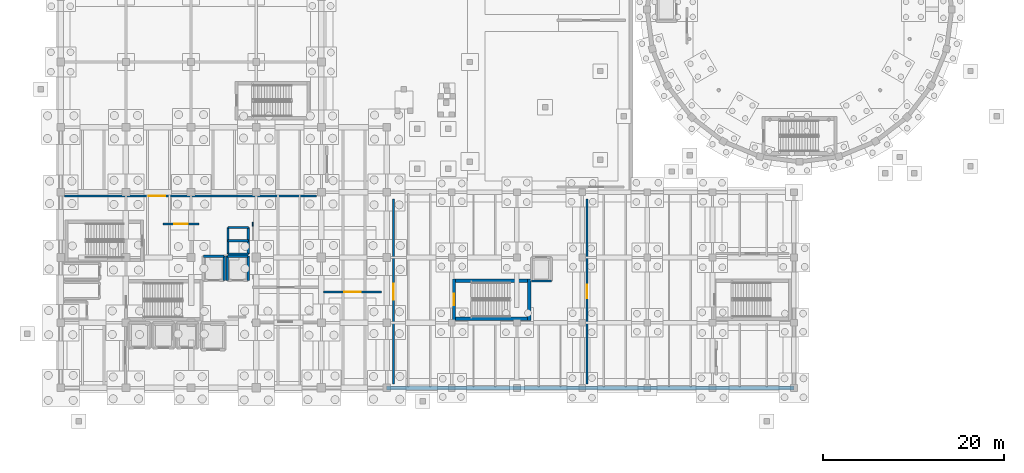
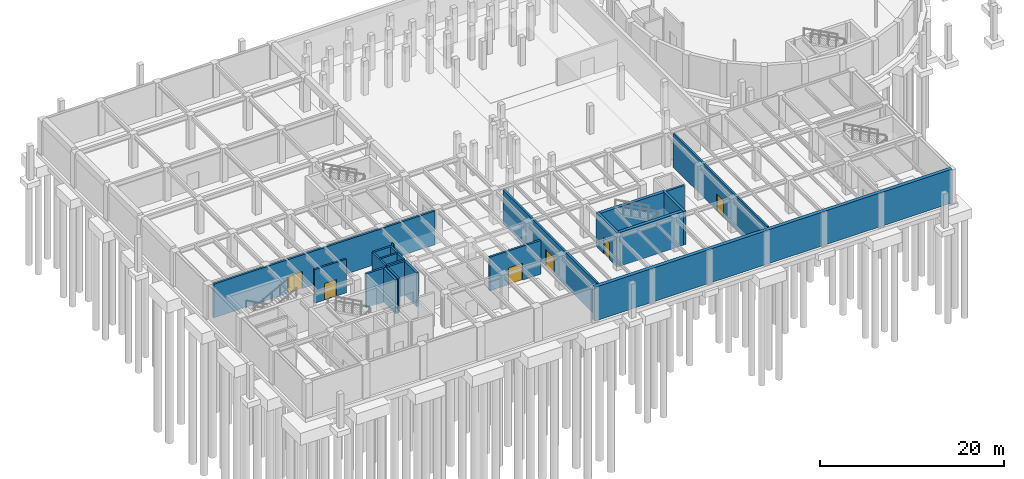
# One storey, part 14 of 26: 22 walls, 6 doors, 6 openings.
"""IFC4 building model written with IfcOpenShell, lengths in metres."""

import ifcopenshell
import ifcopenshell.guid

model = None  # the IFC model being written
_history = None  # IfcOwnerHistory: only IFC2X3 demands one
_inside = {}  # id of a spatial element -> (the spatial element, [elements in it])
_under = {}  # id of a project, library or spatial element -> (it, [spatial elements below it])
_declared = {}  # id of a project -> (the project, [libraries it declares])
_typed = {}  # id of a type object -> (the type object, [elements of that type])
_made_of = {}  # id of a material, layer set ... -> (it, [elements and type objects made of it])


def new_model(schema):
    """Start an empty IFC model of exactly this schema.

    Asked for "IFC4X3", IfcOpenShell would pick the latest addendum, in which some entities
    have other attributes; the version numbers below select the first issue.
    IFC2X3 requires an IfcOwnerHistory on every rooted entity: one is made here for all.
    """
    global model, _history
    if schema == "IFC4X3":
        model = ifcopenshell.file(schema_version=(4, 3, 0, 0))
    else:
        model = ifcopenshell.file(schema=schema)
    _inside.clear()
    _under.clear()
    _declared.clear()
    _typed.clear()
    _made_of.clear()
    _history = None
    if model.schema == "IFC2X3":
        org = make("IfcOrganization", Name="unknown")
        user = make(
            "IfcPersonAndOrganization",
            ThePerson=make("IfcPerson", FamilyName="unknown"),
            TheOrganization=org,
        )
        app = make(
            "IfcApplication",
            ApplicationDeveloper=org,
            Version="unknown",
            ApplicationFullName="unknown",
            ApplicationIdentifier="unknown",
        )
        _history = make(
            "IfcOwnerHistory",
            OwningUser=user,
            OwningApplication=app,
            ChangeAction="ADDED",
            CreationDate=0,
        )
    return model


def make(cls, **values):
    """One entity of the class cls with the attributes given. An attribute that is None is left unset."""
    return model.create_entity(
        cls, **{name: value for name, value in values.items() if value is not None}
    )


def rooted(cls, **values):
    """An entity with a GlobalId (a new one), such as an element, a storey or a relation."""
    return make(cls, GlobalId=ifcopenshell.guid.new(), OwnerHistory=_history, **values)


def si_unit(unit_type, name, prefix=None):
    """IfcSIUnit, for example si_unit("LENGTHUNIT", "METRE", prefix="MILLI")."""
    return make("IfcSIUnit", UnitType=unit_type, Prefix=prefix, Name=name)


def assignment(units):
    """IfcUnitAssignment: the units of a project."""
    return None if units is None else make("IfcUnitAssignment", Units=units)


def point(xyz):
    """IfcCartesianPoint."""
    return None if xyz is None else make("IfcCartesianPoint", Coordinates=xyz)


def direction(xyz):
    """IfcDirection."""
    return None if xyz is None else make("IfcDirection", DirectionRatios=xyz)


def frame(location, z_axis=None, x_axis=None):
    """IfcAxis2Placement3D, a coordinate frame: its origin and axes. An axis left out is left unset."""
    return make(
        "IfcAxis2Placement3D",
        Location=point(location),
        Axis=direction(z_axis),
        RefDirection=direction(x_axis),
    )


def frame_2d(location, x_axis=None):
    """IfcAxis2Placement2D, a coordinate frame in the plane: its origin and x axis."""
    return make(
        "IfcAxis2Placement2D", Location=point(location), RefDirection=direction(x_axis)
    )


def origin():
    """The frame at (0, 0, 0) with its axes left unset."""
    return frame((0.0, 0.0, 0.0))


def place(relative_to, where):
    """IfcLocalPlacement: puts the frame where relative to a parent placement (None: the world)."""
    return make(
        "IfcLocalPlacement", PlacementRelTo=relative_to, RelativePlacement=where
    )


def context(
    kind, dimensions, precision=None, world=None, true_north=None, identifier=None
):
    """IfcGeometricRepresentationContext, for example the 3D "Model" context."""
    return make(
        "IfcGeometricRepresentationContext",
        ContextIdentifier=identifier,
        ContextType=kind,
        CoordinateSpaceDimension=dimensions,
        Precision=precision,
        WorldCoordinateSystem=world,
        TrueNorth=true_north,
    )


def subcontext(parent, identifier, kind, view, scale=None):
    """IfcGeometricRepresentationSubContext, for example "Body" below "Model"."""
    return make(
        "IfcGeometricRepresentationSubContext",
        ContextIdentifier=identifier,
        ContextType=kind,
        ParentContext=parent,
        TargetScale=scale,
        TargetView=view,
    )


def project(units=None, contexts=None):
    """IfcProject with its units and contexts."""
    return rooted(
        "IfcProject",
        Name="project",
        RepresentationContexts=contexts,
        UnitsInContext=assignment(units),
    )


def spatial(cls, under=None, at=None, **own):
    """A site, building, storey or space (cls), placed at a placement, below another one or the project."""
    s = rooted(cls, ObjectPlacement=at, **own)
    if under is not None:
        _under.setdefault(under.id(), (under, []))[1].append(s)
    return s


def profile(cls, at=None, kind="AREA", **sizes):
    """A parametric profile (cls). Its sizes go by their IFC names, for example OverallWidth=200.0."""
    return make(cls, ProfileType=kind, Position=at, **sizes)


def rectangle(**sizes):
    """IfcRectangleProfileDef."""
    return profile("IfcRectangleProfileDef", **sizes)


def extrude(swept, where, along, depth):
    """IfcExtrudedAreaSolid: the profile swept, set in the frame where, extruded along a direction by depth."""
    return make(
        "IfcExtrudedAreaSolid",
        SweptArea=swept,
        Position=where,
        ExtrudedDirection=direction(along),
        Depth=depth,
    )


def shape(context_of_items, identifier, shape_type, items):
    """IfcShapeRepresentation: the items that make up one representation, for example the "Body"."""
    return make(
        "IfcShapeRepresentation",
        ContextOfItems=context_of_items,
        RepresentationIdentifier=identifier,
        RepresentationType=shape_type,
        Items=items,
    )


def material(Name=None, Category=None):
    """IfcMaterial."""
    return make("IfcMaterial", Name=Name, Category=Category)


def layer(
    of_material, thickness, ventilated=None, Name=None, Category=None, Priority=None
):
    """IfcMaterialLayer: one layer of a wall or slab, of a material (None: an air gap)."""
    return make(
        "IfcMaterialLayer",
        Material=of_material,
        LayerThickness=thickness,
        IsVentilated=ventilated,
        Name=Name,
        Category=Category,
        Priority=Priority,
    )


def layer_set(layers, Name=None):
    """IfcMaterialLayerSet."""
    return make("IfcMaterialLayerSet", MaterialLayers=layers, LayerSetName=Name)


def made_of(thing, what):
    """Note that an element or type object is made of a material, layer set ...; save() writes the relation."""
    if what is not None:
        _made_of.setdefault(what.id(), (what, []))[1].append(thing)
    return thing


def type_object(cls, material=None, **own):
    """A type object (cls), such as IfcWallType, which elements share."""
    return made_of(rooted(cls, **own), material)


def element(
    cls,
    number,
    at=None,
    inside=None,
    cuts=None,
    type_object=None,
    material=None,
    context=None,
    identifier="Body",
    shape_type=None,
    held_by="IfcProductDefinitionShape",
    body=None,
    shapes=None,
    **own,
):
    """One element of the class cls, such as IfcWall. Its Tag is "e" and its number.

    at: its placement. inside: the storey or other place that contains it. cuts: it is an
    opening in that element (IfcRelVoidsElement). A single representation is given by context,
    identifier, shape_type and body (its items); several are given by shapes. held_by: the class
    of the entity that holds the representations. save() writes the other relations.
    """
    e = rooted(cls, Tag="e%d" % number, ObjectPlacement=at, **own)
    if body is not None:
        shapes = [shape(context, identifier, shape_type, body)]
    if shapes is not None:
        e.Representation = make(held_by, Representations=shapes)
    if inside is not None:
        _inside.setdefault(inside.id(), (inside, []))[1].append(e)
    if cuts is not None:
        rooted(
            "IfcRelVoidsElement", RelatingBuildingElement=cuts, RelatedOpeningElement=e
        )
    if type_object is not None:
        _typed.setdefault(type_object.id(), (type_object, []))[1].append(e)
    return made_of(e, material)


def fill(opening, filler):
    """IfcRelFillsElement: the door or window that sits in an opening."""
    return rooted(
        "IfcRelFillsElement",
        RelatingOpeningElement=opening,
        RelatedBuildingElement=filler,
    )


def aggregate(whole, parts):
    """IfcRelAggregates: a whole, such as a stair, and the parts it consists of."""
    return rooted("IfcRelAggregates", RelatingObject=whole, RelatedObjects=parts)


def save(model, path):
    """Write the relations noted so far, then the file.

    IfcRelAggregates (storeys below a building ...), IfcRelContainedInSpatialStructure (elements
    in a storey), IfcRelDefinesByType, IfcRelAssociatesMaterial and IfcRelDeclares: one each for
    every whole, place, type object, material and project.
    """
    for whole, parts in _under.values():
        aggregate(whole, parts)
    for where, things in _inside.values():
        rooted(
            "IfcRelContainedInSpatialStructure",
            RelatedElements=things,
            RelatingStructure=where,
        )
    for kind, things in _typed.values():
        rooted("IfcRelDefinesByType", RelatedObjects=things, RelatingType=kind)
    for what, things in _made_of.values():
        rooted("IfcRelAssociatesMaterial", RelatedObjects=things, RelatingMaterial=what)
    for by, libraries in _declared.values():
        rooted("IfcRelDeclares", RelatingContext=by, RelatedDefinitions=libraries)
    model.write(path)


model = new_model("IFC4")

# Units and contexts
model_context = context("Model", 3, precision=1e-05, world=origin(), true_north=direction((0.0, 1.0)))
body_context = subcontext(model_context, "Body", "Model", "MODEL_VIEW")
ifc_project = project(units=[si_unit("LENGTHUNIT", "METRE"), si_unit("AREAUNIT", "SQUARE_METRE"), si_unit("VOLUMEUNIT", "CUBIC_METRE"), si_unit("PLANEANGLEUNIT", "RADIAN"), si_unit("MASSUNIT", "GRAM", prefix="KILO")], contexts=[model_context])

# Site, building, storey
site_placement = place(None, origin())
site = spatial("IfcSite", under=ifc_project, at=site_placement, CompositionType="ELEMENT")
building_placement = place(site_placement, origin())
building = spatial("IfcBuilding", under=site, at=building_placement, Name="Kandorven Conservatory and Botanical Research Centre", CompositionType="ELEMENT")
storey_placement = place(building_placement, frame((0.0, 0.0, -4.800048828125)))
storey = spatial("IfcBuildingStorey", under=building, at=storey_placement, Name="B01", CompositionType="ELEMENT", Elevation=-4.800048828125)

# Walls
ifc_material_1 = material(Name="Concrete C40/50 (M50)", Category="concrete")
ifc_layer_1 = layer(ifc_material_1, 0.39990234375)
ifc_layer_set_1 = layer_set([ifc_layer_1], Name="Concrete C40/50 (M50)")
wall_type_1 = type_object("IfcWallType", Name="Wall_CW-RC-1", PredefinedType="SHEAR", material=ifc_layer_set_1)
for number, where, z_axis, x_axis, name in (
    (1, (49.60009765625, 13.64501953125, 0.0), (0.0, 0.0, 1.0), (1.0, 0.0, 0.0), "Core stair shear wall CW-RC-1 ST-V3A B01 side A"),
    (2, (49.60009765625, 17.844970703125, 0.0), (0.0, 0.0, 1.0), (1.0, 0.0, 0.0), "Core stair shear wall CW-RC-1 ST-V3A B01 side B"),
):
    element("IfcWall", number, at=place(storey_placement, frame(where, z_axis=z_axis, x_axis=x_axis)), inside=storey, type_object=wall_type_1, Name=name, PredefinedType="SHEAR", context=body_context, shape_type="SweptSolid", body=[
        extrude(rectangle(XDim=7.97998046875, YDim=0.39990234375, at=frame_2d((3.989990234375, 0.0))), origin(), (0.0, 0.0, 1.0), 4.5),
    ])

# Wall, opening, door
ifc_material_2 = material(Name="Concrete C40/50 (M50)", Category="concrete")
ifc_layer_2 = layer(ifc_material_2, 0.35009765625)
ifc_layer_set_2 = layer_set([ifc_layer_2], Name="Concrete C40/50 (M50)")
wall_type_2 = type_object("IfcWallType", Name="Wall_CW-RC-2", PredefinedType="SHEAR", material=ifc_layer_set_2)
wall_1_placement = place(storey_placement, frame((49.425048828125, 13.449951171875, 0.0), z_axis=(0.0, 0.0, 1.0), x_axis=(0.0, 1.0, 0.0)))
wall_1 = element("IfcWall", 3, at=wall_1_placement, inside=storey, type_object=wall_type_2, Name="Core stair shear wall CW-RC-2 ST-V3A B01 entry", PredefinedType="SHEAR", context=body_context, shape_type="SweptSolid", body=[
    extrude(rectangle(XDim=4.590087890625, YDim=0.35009765625, at=frame_2d((2.294921875, 0.0))), origin(), (0.0, 0.0, 1.0), 4.5),
])
opening_1_placement = place(wall_1_placement, frame((1.669921875, 0.0, 0.0)))
opening_1 = element("IfcOpeningElement", 4, at=opening_1_placement, cuts=wall_1, Name="Opening FD-1", PredefinedType="OPENING", context=body_context, shape_type="SweptSolid", body=[
    extrude(rectangle(XDim=1.25, YDim=2.199951171875, at=frame_2d((0.625, 1.10009765625))), frame((0.0, 0.18505859375, 0.0), z_axis=(0.0, -1.0, 0.0), x_axis=(1.0, 0.0, 0.0)), (0.0, 0.0, 1.0), 0.3701171875),
])
ifc_material_3 = material(Name="Galvanised hollow steel fire door assembly", Category="steel")
door_type_1 = type_object("IfcDoorType", Name="Door_FD-1", OperationType="NOTDEFINED", PredefinedType="DOOR", material=ifc_material_3)
door_1_placement = place(opening_1_placement, origin())
door_1 = element("IfcDoor", 5, at=door_1_placement, inside=storey, type_object=door_type_1, Name="Exit stair fire door FD-1 ST-V3A B01", OperationType="SINGLE_SWING_RIGHT", OverallHeight=2.199951171875, OverallWidth=1.25, PredefinedType="DOOR", context=body_context, shape_type="SweptSolid", body=[
    extrude(rectangle(XDim=1.25, YDim=2.199951171875, at=frame_2d((0.625, 1.10009765625))), frame((0.0, 0.02490234375, 0.0), z_axis=(0.0, -1.0, 0.0), x_axis=(1.0, 0.0, 0.0)), (0.0, 0.0, 1.0), 0.050048828125),
])
fill(opening_1, door_1)

# Walls
wall_2_placement = place(storey_placement, frame((57.7548828125, 13.449951171875, 0.0), z_axis=(0.0, 0.0, 1.0), x_axis=(0.0, 1.0, 0.0)))
element("IfcWall", 6, at=wall_2_placement, inside=storey, type_object=wall_type_2, Name="Core stair shear wall CW-RC-2 ST-V3A B01 far", PredefinedType="SHEAR", context=body_context, shape_type="SweptSolid", body=[
    extrude(rectangle(XDim=4.590087890625, YDim=0.35009765625, at=frame_2d((2.294921875, 0.0))), origin(), (0.0, 0.0, 1.0), 4.5),
])
wall_3_placement = place(storey_placement, frame((21.75, 20.550048828125, 0.0), z_axis=(0.0, 0.0, 1.0), x_axis=(1.0, 0.0, 0.0)))
element("IfcWall", 7, at=wall_3_placement, inside=storey, type_object=wall_type_2, Name="Lift shaft wall FFL-1 B01 N", PredefinedType="SHEAR", context=body_context, shape_type="SweptSolid", body=[
    extrude(rectangle(XDim=2.300048828125, YDim=0.25, at=frame_2d((1.14990234375, 0.0))), origin(), (0.0, 0.0, 1.0), 4.5),
])
wall_4_placement = place(storey_placement, frame((24.050048828125, 17.85009765625, 0.0), z_axis=(0.0, 0.0, 1.0), x_axis=(0.0, 1.0, 0.0)))
element("IfcWall", 8, at=wall_4_placement, inside=storey, type_object=wall_type_2, Name="Lift shaft wall FFL-1 B01 E", PredefinedType="SHEAR", context=body_context, shape_type="SweptSolid", body=[
    extrude(rectangle(XDim=2.699951171875, YDim=0.25, at=frame_2d((1.35009765625, 0.0))), origin(), (0.0, 0.0, 1.0), 4.5),
])
wall_5_placement = place(storey_placement, frame((24.39990234375, 20.550048828125, 0.0), z_axis=(0.0, 0.0, 1.0), x_axis=(1.0, 0.0, 0.0)))
element("IfcWall", 9, at=wall_5_placement, inside=storey, type_object=wall_type_2, Name="Lift shaft wall FFL-2 B01 N", PredefinedType="SHEAR", context=body_context, shape_type="SweptSolid", body=[
    extrude(rectangle(XDim=2.300048828125, YDim=0.25, at=frame_2d((1.14990234375, 0.0))), origin(), (0.0, 0.0, 1.0), 4.5),
])
for number, where, z_axis, x_axis, name in (
    (10, (24.39990234375, 17.85009765625, 0.0), (0.0, 0.0, 1.0), (0.0, 1.0, 0.0), "Lift shaft wall FFL-2 B01 W"),
    (11, (26.699951171875, 17.85009765625, 0.0), (0.0, 0.0, 1.0), (0.0, 1.0, 0.0), "Lift shaft wall FFL-2 B01 E"),
):
    element("IfcWall", number, at=place(storey_placement, frame(where, z_axis=z_axis, x_axis=x_axis)), inside=storey, type_object=wall_type_2, Name=name, PredefinedType="SHEAR", context=body_context, shape_type="SweptSolid", body=[
        extrude(rectangle(XDim=2.699951171875, YDim=0.25, at=frame_2d((1.35009765625, 0.0))), origin(), (0.0, 0.0, 1.0), 4.5),
    ])
wall_6_placement = place(storey_placement, frame((58.0, 17.800048828125, 0.0), z_axis=(0.0, 0.0, 1.0), x_axis=(1.0, 0.0, 0.0)))
element("IfcWall", 12, at=wall_6_placement, inside=storey, type_object=wall_type_2, Name="Lift shaft wall VL-1 B01 S", PredefinedType="SHEAR", context=body_context, shape_type="SweptSolid", body=[
    extrude(rectangle(XDim=2.199951171875, YDim=0.25, at=frame_2d((1.10009765625, 0.0))), origin(), (0.0, 0.0, 1.0), 4.5),
])
for number, where, z_axis, x_axis, name in (
    (13, (24.47998046875, 20.780029296875, 0.0), (0.0, 0.0, 1.0), (1.0, 0.0, 0.0), "Core MEP riser shaft wall CW-RC-2 B01 S"),
    (14, (24.47998046875, 22.25, 0.0), (0.0, 0.0, 1.0), (1.0, 0.0, 0.0), "Core MEP riser shaft wall CW-RC-2 B01 M"),
    (15, (24.47998046875, 23.719970703125, 0.0), (0.0, 0.0, 1.0), (1.0, 0.0, 0.0), "Core MEP riser shaft wall CW-RC-2 B01 N"),
):
    element("IfcWall", number, at=place(storey_placement, frame(where, z_axis=z_axis, x_axis=x_axis)), inside=storey, type_object=wall_type_2, Name=name, PredefinedType="SHEAR", context=body_context, shape_type="SweptSolid", body=[
        extrude(rectangle(XDim=2.239990234375, YDim=0.239990234375, at=frame_2d((1.1201171875, 0.0))), origin(), (0.0, 0.0, 1.0), 4.5),
    ])
for number, where, z_axis, x_axis, name in (
    (16, (24.47998046875, 20.780029296875, 0.0), (0.0, 0.0, 1.0), (0.0, 1.0, 0.0), "Core MEP riser shaft wall CW-RC-2 B01 W"),
    (17, (26.719970703125, 20.780029296875, 0.0), (0.0, 0.0, 1.0), (0.0, 1.0, 0.0), "Core MEP riser shaft wall CW-RC-2 B01 E"),
):
    element("IfcWall", number, at=place(storey_placement, frame(where, z_axis=z_axis, x_axis=x_axis)), inside=storey, type_object=wall_type_2, Name=name, PredefinedType="SHEAR", context=body_context, shape_type="SweptSolid", body=[
        extrude(rectangle(XDim=2.93994140625, YDim=0.239990234375, at=frame_2d((1.469970703125, 0.0))), origin(), (0.0, 0.0, 1.0), 4.5),
    ])
ifc_material_4 = material(Name="Fire-rated acoustic gypsum board partition", Category="gypsum")
ifc_layer_3 = layer(ifc_material_4, 0.1201171875)
ifc_layer_set_3 = layer_set([ifc_layer_3], Name="Fire-rated acoustic gypsum board partition")
wall_type_3 = type_object("IfcWallType", Name="Wall_IW-08", PredefinedType="PARTITIONING", material=ifc_layer_set_3)
wall_7_placement = place(storey_placement, frame((27.199951171875, 24.300048828125, 0.0), z_axis=(0.0, 0.0, 1.0), x_axis=(0.0, -1.0, 0.0)))
element("IfcWall", 18, at=wall_7_placement, inside=storey, type_object=wall_type_3, Name="Interior partition wall IW-08 (Botanical Propagation and Potting Workshop)", PredefinedType="PARTITIONING", context=body_context, shape_type="SweptSolid", body=[
    extrude(rectangle(XDim=0.449951171875, YDim=0.1201171875, at=frame_2d((0.22509765625, 0.0))), origin(), (0.0, 0.0, 1.0), 4.47998046875),
])

# Wall, opening, door
ifc_material_5 = material(Name="Concrete C32/40 (M40)", Category="concrete")
ifc_layer_4 = layer(ifc_material_5, 0.25)
ifc_layer_set_4 = layer_set([ifc_layer_4], Name="Concrete C32/40 (M40)")
wall_type_4 = type_object("IfcWallType", Name="Wall_IW-FR-1", PredefinedType="SOLIDWALL", material=ifc_layer_set_4)
wall_8_placement = place(storey_placement, frame((35.0, 16.60009765625, 0.0), z_axis=(0.0, 0.0, 1.0), x_axis=(1.0, 0.0, 0.0)))
wall_8 = element("IfcWall", 19, at=wall_8_placement, inside=storey, type_object=wall_type_4, Name="Interior fire partition wall IW-FR-1 (Herbarium Quarantine Blast Freezer Room)", PredefinedType="SOLIDWALL", context=body_context, shape_type="SweptSolid", body=[
    extrude(rectangle(XDim=6.449951171875, YDim=0.25, at=frame_2d((3.22509765625, 0.0))), origin(), (0.0, 0.0, 1.0), 4.47998046875),
])
opening_2_placement = place(wall_8_placement, frame((2.324951171875, 0.0, 0.0)))
opening_2 = element("IfcOpeningElement", 20, at=opening_2_placement, cuts=wall_8, Name="Opening FD-4", PredefinedType="OPENING", context=body_context, shape_type="SweptSolid", body=[
    extrude(rectangle(XDim=1.800048828125, YDim=2.25, at=frame_2d((0.89990234375, 1.125))), frame((0.0, 0.135009765625, 0.0), z_axis=(0.0, -1.0, 0.0), x_axis=(1.0, 0.0, 0.0)), (0.0, 0.0, 1.0), 0.27001953125),
])
ifc_material_6 = material(Name="Galvanised hollow steel fire door assembly", Category="steel")
door_type_2 = type_object("IfcDoorType", Name="Door_FD-4", OperationType="NOTDEFINED", PredefinedType="DOOR", material=ifc_material_6)
door_2_placement = place(opening_2_placement, origin())
door_2 = element("IfcDoor", 21, at=door_2_placement, inside=storey, type_object=door_type_2, Name="Interior door FD-4 to Herbarium Quarantine Blast Freezer Room", OperationType="DOUBLE_DOOR_SINGLE_SWING", OverallHeight=2.25, OverallWidth=1.800048828125, PredefinedType="DOOR", context=body_context, shape_type="SweptSolid", body=[
    extrude(rectangle(XDim=1.800048828125, YDim=2.25, at=frame_2d((0.89990234375, 1.125))), frame((0.0, 0.02490234375, 0.0), z_axis=(0.0, -1.0, 0.0), x_axis=(1.0, 0.0, 0.0)), (0.0, 0.0, 1.0), 0.050048828125),
])
fill(opening_2, door_2)

wall_9_placement = place(storey_placement, frame((6.39990234375, 27.199951171875, 0.0), z_axis=(0.0, 0.0, 1.0), x_axis=(1.0, 0.0, 0.0)))
wall_9 = element("IfcWall", 22, at=wall_9_placement, inside=storey, type_object=wall_type_4, Name="Interior fire partition wall IW-FR-1 (Central Water-Cooled Chiller Plant Room)", PredefinedType="SOLIDWALL", context=body_context, shape_type="SweptSolid", body=[
    extrude(rectangle(XDim=27.85009765625, YDim=0.25, at=frame_2d((13.925048828125, 0.0))), origin(), (0.0, 0.0, 1.0), 4.47998046875),
])
opening_3_placement = place(wall_9_placement, frame((9.342529296875, 0.0, 0.0)))
opening_3 = element("IfcOpeningElement", 23, at=opening_3_placement, cuts=wall_9, Name="Opening FD-4", PredefinedType="OPENING", context=body_context, shape_type="SweptSolid", body=[
    extrude(rectangle(XDim=1.800048828125, YDim=2.25, at=frame_2d((0.89990234375, 1.125))), frame((0.0, 0.135009765625, 0.0), z_axis=(0.0, -1.0, 0.0), x_axis=(1.0, 0.0, 0.0)), (0.0, 0.0, 1.0), 0.27001953125),
])
door_3_placement = place(opening_3_placement, frame((1.800048828125, 0.0, 0.0), z_axis=(0.0, 0.0, 1.0), x_axis=(-1.0, 0.0, 0.0)))
door_3 = element("IfcDoor", 24, at=door_3_placement, inside=storey, type_object=door_type_2, Name="Interior door FD-4 to Central Water-Cooled Chiller Plant Room", OperationType="DOUBLE_DOOR_SINGLE_SWING", OverallHeight=2.25, OverallWidth=1.800048828125, PredefinedType="DOOR", context=body_context, shape_type="SweptSolid", body=[
    extrude(rectangle(XDim=1.800048828125, YDim=2.25, at=frame_2d((0.89990234375, 1.125))), frame((0.0, 0.02490234375, 0.0), z_axis=(0.0, -1.0, 0.0), x_axis=(1.0, 0.0, 0.0)), (0.0, 0.0, 1.0), 0.050048828125),
])
fill(opening_3, door_3)

wall_10_placement = place(storey_placement, frame((42.75, 6.39990234375, 0.0), z_axis=(0.0, 0.0, 1.0), x_axis=(0.0, 1.0, 0.0)))
wall_10 = element("IfcWall", 25, at=wall_10_placement, inside=storey, type_object=wall_type_4, Name="Interior fire partition wall IW-FR-1 (11 kV Substation and Standby Generator Hall)", PredefinedType="SOLIDWALL", context=body_context, shape_type="SweptSolid", body=[
    extrude(rectangle(XDim=20.4501953125, YDim=0.25, at=frame_2d((10.22509765625, 0.0))), origin(), (0.0, 0.0, 1.0), 4.47998046875),
])
opening_4_placement = place(wall_10_placement, frame((9.324951171875, 0.0, 0.0)))
opening_4 = element("IfcOpeningElement", 26, at=opening_4_placement, cuts=wall_10, Name="Opening FD-4", PredefinedType="OPENING", context=body_context, shape_type="SweptSolid", body=[
    extrude(rectangle(XDim=1.800048828125, YDim=2.25, at=frame_2d((0.89990234375, 1.125))), frame((0.0, 0.135009765625, 0.0), z_axis=(0.0, -1.0, 0.0), x_axis=(1.0, 0.0, 0.0)), (0.0, 0.0, 1.0), 0.27001953125),
])
door_4_placement = place(opening_4_placement, origin())
door_4 = element("IfcDoor", 27, at=door_4_placement, inside=storey, type_object=door_type_2, Name="Interior door FD-4 to 11 kV Substation and Standby Generator Hall", OperationType="DOUBLE_DOOR_SINGLE_SWING", OverallHeight=2.25, OverallWidth=1.800048828125, PredefinedType="DOOR", context=body_context, shape_type="SweptSolid", body=[
    extrude(rectangle(XDim=1.800048828125, YDim=2.25, at=frame_2d((0.89990234375, 1.125))), frame((0.0, 0.02490234375, 0.0), z_axis=(0.0, -1.0, 0.0), x_axis=(1.0, 0.0, 0.0)), (0.0, 0.0, 1.0), 0.050048828125),
])
fill(opening_4, door_4)

ifc_material_7 = material(Name="Concrete C32/40 (M40)", Category="concrete")
ifc_layer_5 = layer(ifc_material_7, 0.22509765625)
ifc_layer_set_5 = layer_set([ifc_layer_5], Name="Concrete C32/40 (M40)")
wall_type_5 = type_object("IfcWallType", Name="Wall_IW-FR-2", PredefinedType="SOLIDWALL", material=ifc_layer_set_5)
wall_11_placement = place(storey_placement, frame((64.14990234375, 6.39990234375, 0.0), z_axis=(0.0, 0.0, 1.0), x_axis=(0.0, 1.0, 0.0)))
wall_11 = element("IfcWall", 28, at=wall_11_placement, inside=storey, type_object=wall_type_5, Name="Interior fire partition wall IW-FR-2 (Staff Cycle Store and Locker Room)", PredefinedType="SOLIDWALL", context=body_context, shape_type="SweptSolid", body=[
    extrude(rectangle(XDim=20.4501953125, YDim=0.22509765625, at=frame_2d((10.22509765625, 0.0))), origin(), (0.0, 0.0, 1.0), 4.47998046875),
])
opening_5_placement = place(wall_11_placement, frame((9.47509765625, 0.0, 0.0)))
opening_5 = element("IfcOpeningElement", 29, at=opening_5_placement, cuts=wall_11, Name="Opening FD-3", PredefinedType="OPENING", context=body_context, shape_type="SweptSolid", body=[
    extrude(rectangle(XDim=1.5, YDim=2.199951171875, at=frame_2d((0.75, 1.10009765625))), frame((0.0, 0.12255859375, 0.0), z_axis=(0.0, -1.0, 0.0), x_axis=(1.0, 0.0, 0.0)), (0.0, 0.0, 1.0), 0.2451171875),
])
ifc_material_8 = material(Name="Galvanised hollow steel fire door assembly", Category="steel")
door_type_3 = type_object("IfcDoorType", Name="Door_FD-3", OperationType="NOTDEFINED", PredefinedType="DOOR", material=ifc_material_8)
door_5_placement = place(opening_5_placement, frame((1.5, 0.0, 0.0), z_axis=(0.0, 0.0, 1.0), x_axis=(-1.0, 0.0, 0.0)))
door_5 = element("IfcDoor", 30, at=door_5_placement, inside=storey, type_object=door_type_3, Name="Interior door FD-3 to Staff Cycle Store and Locker Room", OperationType="SINGLE_SWING_LEFT", OverallHeight=2.199951171875, OverallWidth=1.5, PredefinedType="DOOR", context=body_context, shape_type="SweptSolid", body=[
    extrude(rectangle(XDim=1.5, YDim=2.199951171875, at=frame_2d((0.75, 1.10009765625))), frame((0.0, 0.02490234375, 0.0), z_axis=(0.0, -1.0, 0.0), x_axis=(1.0, 0.0, 0.0)), (0.0, 0.0, 1.0), 0.050048828125),
])
fill(opening_5, door_5)

wall_12_placement = place(storey_placement, frame((17.300048828125, 24.10009765625, 0.0), z_axis=(0.0, 0.0, 1.0), x_axis=(1.0, 0.0, 0.0)))
wall_12 = element("IfcWall", 31, at=wall_12_placement, inside=storey, type_object=wall_type_5, Name="Interior fire partition wall IW-FR-2 (Herbarium Freeze-Drying and Specimen Treatment Room)", PredefinedType="SOLIDWALL", context=body_context, shape_type="SweptSolid", body=[
    extrude(rectangle(XDim=4.0, YDim=0.22509765625, at=frame_2d((2.0, 0.0))), origin(), (0.0, 0.0, 1.0), 4.47998046875),
])
opening_6_placement = place(wall_12_placement, frame((1.25, 0.0, 0.0)))
opening_6 = element("IfcOpeningElement", 32, at=opening_6_placement, cuts=wall_12, Name="Opening FD-3", PredefinedType="OPENING", context=body_context, shape_type="SweptSolid", body=[
    extrude(rectangle(XDim=1.5, YDim=2.199951171875, at=frame_2d((0.75, 1.10009765625))), frame((0.0, 0.12255859375, 0.0), z_axis=(0.0, -1.0, 0.0), x_axis=(1.0, 0.0, 0.0)), (0.0, 0.0, 1.0), 0.2451171875),
])
door_6_placement = place(opening_6_placement, frame((1.5, 0.0, 0.0), z_axis=(0.0, 0.0, 1.0), x_axis=(-1.0, 0.0, 0.0)))
door_6 = element("IfcDoor", 33, at=door_6_placement, inside=storey, type_object=door_type_3, Name="Interior door FD-3 to Herbarium Freeze-Drying and Specimen Treatment Room", OperationType="SINGLE_SWING_LEFT", OverallHeight=2.199951171875, OverallWidth=1.5, PredefinedType="DOOR", context=body_context, shape_type="SweptSolid", body=[
    extrude(rectangle(XDim=1.5, YDim=2.199951171875, at=frame_2d((0.75, 1.10009765625))), frame((0.0, 0.02490234375, 0.0), z_axis=(0.0, -1.0, 0.0), x_axis=(1.0, 0.0, 0.0)), (0.0, 0.0, 1.0), 0.050048828125),
])
fill(opening_6, door_6)

# Wall
ifc_material_9 = material(Name="Concrete C32/40 (M40)", Category="concrete")
ifc_layer_6 = layer(ifc_material_9, 0.449951171875)
ifc_layer_set_6 = layer_set([ifc_layer_6], Name="Concrete C32/40 (M40)")
wall_type_6 = type_object("IfcWallType", Name="Wall_RW-01", PredefinedType="USERDEFINED", material=ifc_layer_set_6)
wall_13_placement = place(storey_placement, frame((42.0, 6.0, 0.0), z_axis=(0.0, 0.0, 1.0), x_axis=(1.0, 0.0, 0.0)))
element("IfcWall", 34, at=wall_13_placement, inside=storey, type_object=wall_type_6, Name="Basement retaining wall RW-01 (450 mm) S2", ObjectType="RETAININGWALL", PredefinedType="USERDEFINED", context=body_context, shape_type="SweptSolid", body=[
    extrude(rectangle(XDim=45.0, YDim=0.449951171875, at=frame_2d((22.5, 0.0))), origin(), (0.0, 0.0, 1.0), 4.5),
])

save(model, "model.ifc")
